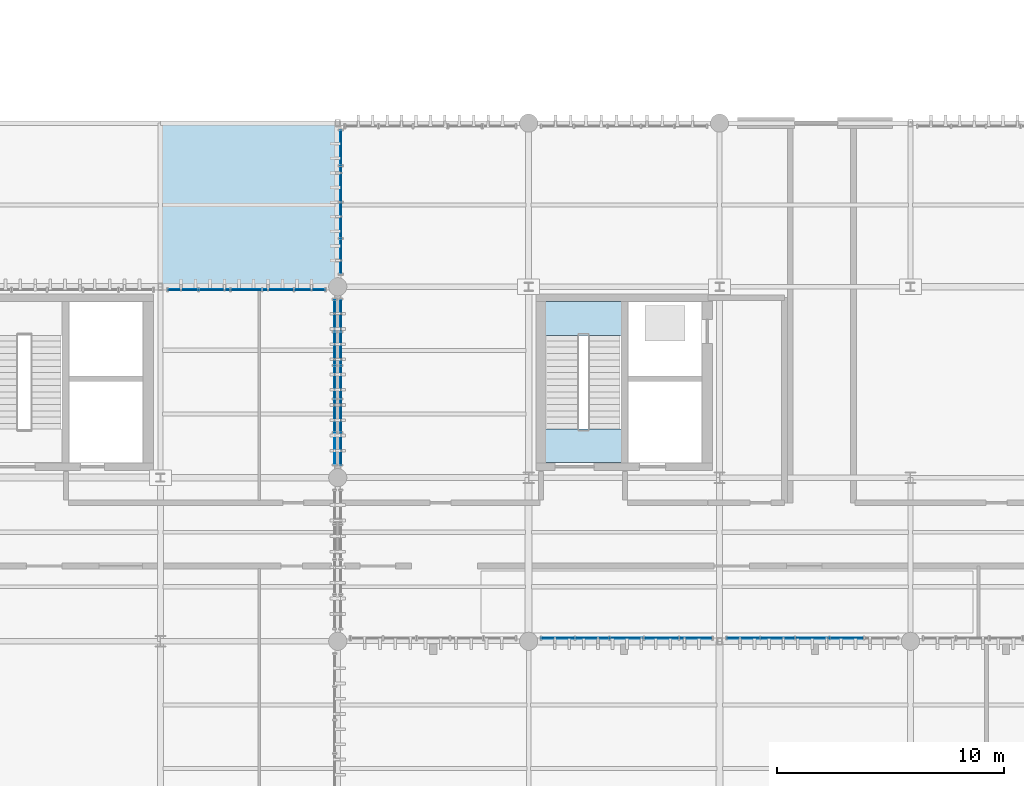
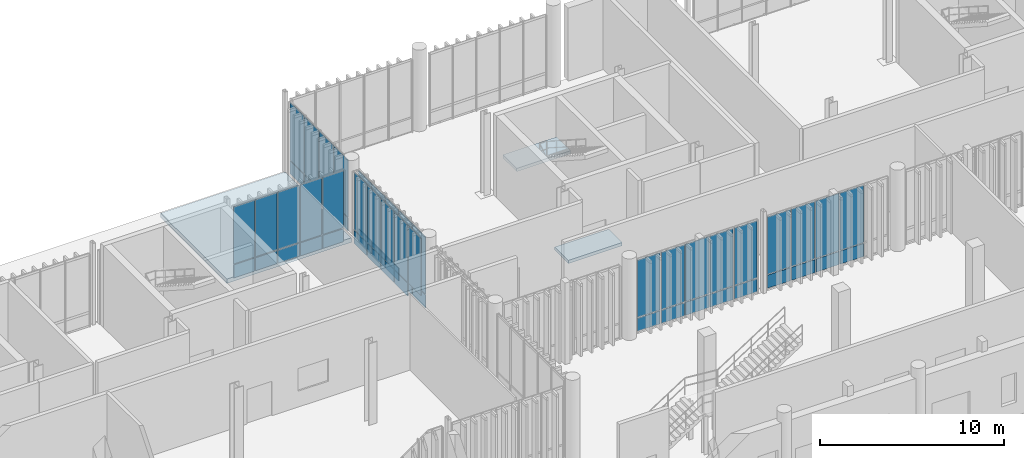
# One storey, part 78 of 112: 55 plates, 3 slabs, 7 elements without a shape of their own.
"""IFC4 building model written with IfcOpenShell, lengths in metres."""

from ifc_helpers import new_model, si_unit, direction, frame, frame_2d, origin_with_axes, place, context, subcontext, project, spatial, polyline, rectangle, outline, extrude, material, layer, layer_set, type_object, element, aggregate, save


model = new_model("IFC4")

# Units and contexts
model_context = context("Model", 3, precision=1e-05, world=origin_with_axes(), true_north=direction((0.0, 1.0)))
body_context = subcontext(model_context, "Body", "Model", "MODEL_VIEW")
ifc_project = project(units=[si_unit("LENGTHUNIT", "METRE"), si_unit("AREAUNIT", "SQUARE_METRE"), si_unit("VOLUMEUNIT", "CUBIC_METRE"), si_unit("PLANEANGLEUNIT", "RADIAN"), si_unit("MASSUNIT", "GRAM", prefix="KILO"), si_unit("THERMODYNAMICTEMPERATUREUNIT", "KELVIN")], contexts=[model_context])

# Site, building, storey
site_placement = place(None, origin_with_axes())
site = spatial("IfcSite", under=ifc_project, at=site_placement, CompositionType="ELEMENT")
building_placement = place(site_placement, origin_with_axes())
building = spatial("IfcBuilding", under=site, at=building_placement, Name="Montbau Bow Law Courts", CompositionType="ELEMENT")
storey_placement = place(building_placement, origin_with_axes())
storey = spatial("IfcBuildingStorey", under=building, at=storey_placement, Name="L00", CompositionType="ELEMENT", Elevation=0.0)

# Curtain wall, plates
ifc_material_1 = material(Name="Thermally Broken Extruded Aluminium AA 6063-T6", Category="aluminium")
curtain_wall_type_1 = type_object("IfcCurtainWallType", Name="CW-TRC-01", PredefinedType="NOTDEFINED", material=ifc_material_1)
curtain_wall_1_placement = place(None, frame((39.268, 54.46, 0.0), z_axis=(0.0, 0.0, 1.0), x_axis=(1.0, 0.0, 0.0)))
curtain_wall_1 = element("IfcCurtainWall", 1, at=curtain_wall_1_placement, inside=storey, type_object=curtain_wall_type_1, Name="CW-L00-010:cw_0010", PredefinedType="NOTDEFINED")
ifc_material_2 = material(Name="Triple-Glazed Low-E Argon Insulating Glass Unit", Category="glass")
ifc_layer_1 = layer(ifc_material_2, 0.044, Name="Curtain Panel", Category="glass")
ifc_layer_set_1 = layer_set([ifc_layer_1], Name="Triple-Glazed Low-E Argon Insulating Glass Unit")
plate_type_1 = type_object("IfcPlateType", Name="PL-CWP-01", PredefinedType="CURTAIN_PANEL", material=ifc_layer_set_1)
plate_1_placement = place(None, frame((39.336, 54.46, 0.982), z_axis=(0.0, -1.0, 0.0), x_axis=(1.0, 0.0, 0.0)))
plate_1 = element("IfcPlate", 2, at=plate_1_placement, type_object=plate_type_1, Name="CW-L00-010-P01-2:cw_0010_P01_2", PredefinedType="CURTAIN_PANEL", context=body_context, shape_type="SweptSolid", body=[
    extrude(rectangle(XDim=1.301, YDim=3.776, at=frame_2d((0.6505, 1.888), x_axis=(1.0, 0.0))), frame((0.0, 0.0, -0.022), z_axis=(0.0, 0.0, 1.0), x_axis=(1.0, 0.0, 0.0)), (0.0, 0.0, 1.0), 0.044),
])
plate_2_placement = place(None, frame((40.706, 54.46, 0.982), z_axis=(0.0, -1.0, 0.0), x_axis=(1.0, 0.0, 0.0)))
plate_2 = element("IfcPlate", 3, at=plate_2_placement, type_object=plate_type_1, Name="CW-L00-010-P02-2:cw_0010_P02_2", PredefinedType="CURTAIN_PANEL", context=body_context, shape_type="SweptSolid", body=[
    extrude(rectangle(XDim=1.334, YDim=3.776, at=frame_2d((0.667, 1.888), x_axis=(1.0, 0.0))), frame((0.0, 0.0, -0.022), z_axis=(0.0, 0.0, 1.0), x_axis=(1.0, 0.0, 0.0)), (0.0, 0.0, 1.0), 0.044),
])
plate_3_placement = place(None, frame((42.109, 54.46, 0.982), z_axis=(0.0, -1.0, 0.0), x_axis=(1.0, 0.0, 0.0)))
plate_3 = element("IfcPlate", 4, at=plate_3_placement, type_object=plate_type_1, Name="CW-L00-010-P03-2:cw_0010_P03_2", PredefinedType="CURTAIN_PANEL", context=body_context, shape_type="SweptSolid", body=[
    extrude(rectangle(XDim=1.335, YDim=3.776, at=frame_2d((0.6675, 1.888), x_axis=(1.0, 0.0))), frame((0.0, 0.0, -0.022), z_axis=(0.0, 0.0, 1.0), x_axis=(1.0, 0.0, 0.0)), (0.0, 0.0, 1.0), 0.044),
])
plate_4_placement = place(None, frame((43.512, 54.46, 0.982), z_axis=(0.0, -1.0, 0.0), x_axis=(1.0, 0.0, 0.0)))
plate_4 = element("IfcPlate", 5, at=plate_4_placement, type_object=plate_type_1, Name="CW-L00-010-P04-2:cw_0010_P04_2", PredefinedType="CURTAIN_PANEL", context=body_context, shape_type="SweptSolid", body=[
    extrude(rectangle(XDim=1.336, YDim=3.776, at=frame_2d((0.668, 1.888), x_axis=(1.0, 0.0))), frame((0.0, 0.0, -0.022), z_axis=(0.0, 0.0, 1.0), x_axis=(1.0, 0.0, 0.0)), (0.0, 0.0, 1.0), 0.044),
])
plate_5_placement = place(None, frame((44.916, 54.46, 0.982), z_axis=(0.0, -1.0, 0.0), x_axis=(1.0, 0.0, 0.0)))
plate_5 = element("IfcPlate", 6, at=plate_5_placement, type_object=plate_type_1, Name="CW-L00-010-P05-2:cw_0010_P05_2", PredefinedType="CURTAIN_PANEL", context=body_context, shape_type="SweptSolid", body=[
    extrude(rectangle(XDim=1.302, YDim=3.776, at=frame_2d((0.651, 1.888), x_axis=(1.0, 0.0))), frame((0.0, 0.0, -0.022), z_axis=(0.0, 0.0, 1.0), x_axis=(1.0, 0.0, 0.0)), (0.0, 0.0, 1.0), 0.044),
])

curtain_wall_2_placement = place(None, frame((46.66, 46.715, 0.0), z_axis=(0.0, 0.0, 1.0), x_axis=(1.0, 0.0, 0.0)))
curtain_wall_2 = element("IfcCurtainWall", 7, at=curtain_wall_2_placement, inside=storey, type_object=curtain_wall_type_1, Name="CW-L00-015:cw_0015", PredefinedType="NOTDEFINED")
plate_6_placement = place(None, frame((46.66, 46.791, 0.979), z_axis=(1.0, 0.0, 0.0), x_axis=(0.0, 1.0, 0.0)))
plate_6 = element("IfcPlate", 8, at=plate_6_placement, type_object=plate_type_1, Name="CW-L00-015-P01-2:cw_0015_P01_2", PredefinedType="CURTAIN_PANEL", context=body_context, shape_type="SweptSolid", body=[
    extrude(rectangle(XDim=1.358, YDim=3.785, at=frame_2d((0.679, 1.8925), x_axis=(1.0, 0.0))), frame((0.0, 0.0, -0.022), z_axis=(0.0, 0.0, 1.0), x_axis=(1.0, 0.0, 0.0)), (0.0, 0.0, 1.0), 0.044),
])
plate_7_placement = place(None, frame((46.66, 48.229, 0.979), z_axis=(1.0, 0.0, 0.0), x_axis=(0.0, 1.0, 0.0)))
plate_7 = element("IfcPlate", 9, at=plate_7_placement, type_object=plate_type_1, Name="CW-L00-015-P02-2:cw_0015_P02_2", PredefinedType="CURTAIN_PANEL", context=body_context, shape_type="SweptSolid", body=[
    extrude(rectangle(XDim=1.395, YDim=3.785, at=frame_2d((0.6975, 1.8925), x_axis=(1.0, 0.0))), frame((0.0, 0.0, -0.022), z_axis=(0.0, 0.0, 1.0), x_axis=(1.0, 0.0, 0.0)), (0.0, 0.0, 1.0), 0.044),
])
plate_8_placement = place(None, frame((46.66, 49.702, 0.979), z_axis=(1.0, 0.0, 0.0), x_axis=(0.0, 1.0, 0.0)))
plate_8 = element("IfcPlate", 10, at=plate_8_placement, type_object=plate_type_1, Name="CW-L00-015-P03-2:cw_0015_P03_2", PredefinedType="CURTAIN_PANEL", context=body_context, shape_type="SweptSolid", body=[
    extrude(rectangle(XDim=1.396, YDim=3.785, at=frame_2d((0.698, 1.8925), x_axis=(1.0, 0.0))), frame((0.0, 0.0, -0.022), z_axis=(0.0, 0.0, 1.0), x_axis=(1.0, 0.0, 0.0)), (0.0, 0.0, 1.0), 0.044),
])
plate_9_placement = place(None, frame((46.66, 51.176, 0.979), z_axis=(1.0, 0.0, 0.0), x_axis=(0.0, 1.0, 0.0)))
plate_9 = element("IfcPlate", 11, at=plate_9_placement, type_object=plate_type_1, Name="CW-L00-015-P04-2:cw_0015_P04_2", PredefinedType="CURTAIN_PANEL", context=body_context, shape_type="SweptSolid", body=[
    extrude(rectangle(XDim=1.396, YDim=3.785, at=frame_2d((0.698, 1.8925), x_axis=(1.0, 0.0))), frame((0.0, 0.0, -0.022), z_axis=(0.0, 0.0, 1.0), x_axis=(1.0, 0.0, 0.0)), (0.0, 0.0, 1.0), 0.044),
])
plate_10_placement = place(None, frame((46.66, 52.65, 0.979), z_axis=(1.0, 0.0, 0.0), x_axis=(0.0, 1.0, 0.0)))
plate_10 = element("IfcPlate", 12, at=plate_10_placement, type_object=plate_type_1, Name="CW-L00-015-P05-2:cw_0015_P05_2", PredefinedType="CURTAIN_PANEL", context=body_context, shape_type="SweptSolid", body=[
    extrude(rectangle(XDim=1.358, YDim=3.785, at=frame_2d((0.679, 1.8925), x_axis=(1.0, 0.0))), frame((0.0, 0.0, -0.022), z_axis=(0.0, 0.0, 1.0), x_axis=(1.0, 0.0, 0.0)), (0.0, 0.0, 1.0), 0.044),
])

curtain_wall_type_2 = type_object("IfcCurtainWallType", Name="CW-CRM-01", PredefinedType="NOTDEFINED", material=ifc_material_1)
curtain_wall_3_placement = place(None, frame((55.715, 39.14, 0.0), z_axis=(0.0, 0.0, 1.0), x_axis=(1.0, 0.0, 0.0)))
curtain_wall_3 = element("IfcCurtainWall", 13, at=curtain_wall_3_placement, inside=storey, type_object=curtain_wall_type_2, Name="CW-L00-124:cw_0124", PredefinedType="NOTDEFINED")
plate_11_placement = place(None, frame((55.783, 39.14, 0.982), z_axis=(0.0, -1.0, 0.0), x_axis=(1.0, 0.0, 0.0)))
plate_11 = element("IfcPlate", 14, at=plate_11_placement, type_object=plate_type_1, Name="CW-L00-124-P01-2:cw_0124_P01_2", PredefinedType="CURTAIN_PANEL", context=body_context, shape_type="SweptSolid", body=[
    extrude(rectangle(XDim=1.42, YDim=3.776, at=frame_2d((0.71, 1.888), x_axis=(1.0, 0.0))), frame((0.0, 0.0, -0.022), z_axis=(0.0, 0.0, 1.0), x_axis=(1.0, 0.0, 0.0)), (0.0, 0.0, 1.0), 0.044),
])
plate_12_placement = place(None, frame((57.272, 39.14, 0.982), z_axis=(0.0, -1.0, 0.0), x_axis=(1.0, 0.0, 0.0)))
plate_12 = element("IfcPlate", 15, at=plate_12_placement, type_object=plate_type_1, Name="CW-L00-124-P02-2:cw_0124_P02_2", PredefinedType="CURTAIN_PANEL", context=body_context, shape_type="SweptSolid", body=[
    extrude(rectangle(XDim=1.456, YDim=3.776, at=frame_2d((0.728, 1.888), x_axis=(1.0, 0.0))), frame((0.0, 0.0, -0.022), z_axis=(0.0, 0.0, 1.0), x_axis=(1.0, 0.0, 0.0)), (0.0, 0.0, 1.0), 0.044),
])
plate_13_placement = place(None, frame((58.797, 39.14, 0.982), z_axis=(0.0, -1.0, 0.0), x_axis=(1.0, 0.0, 0.0)))
plate_13 = element("IfcPlate", 16, at=plate_13_placement, type_object=plate_type_1, Name="CW-L00-124-P03-2:cw_0124_P03_2", PredefinedType="CURTAIN_PANEL", context=body_context, shape_type="SweptSolid", body=[
    extrude(rectangle(XDim=1.454, YDim=3.776, at=frame_2d((0.727, 1.888), x_axis=(1.0, 0.0))), frame((0.0, 0.0, -0.022), z_axis=(0.0, 0.0, 1.0), x_axis=(1.0, 0.0, 0.0)), (0.0, 0.0, 1.0), 0.044),
])
plate_14_placement = place(None, frame((60.319, 39.14, 0.982), z_axis=(0.0, -1.0, 0.0), x_axis=(1.0, 0.0, 0.0)))
plate_14 = element("IfcPlate", 17, at=plate_14_placement, type_object=plate_type_1, Name="CW-L00-124-P04-2:cw_0124_P04_2", PredefinedType="CURTAIN_PANEL", context=body_context, shape_type="SweptSolid", body=[
    extrude(rectangle(XDim=1.456, YDim=3.776, at=frame_2d((0.728, 1.888), x_axis=(1.0, 0.0))), frame((0.0, 0.0, -0.022), z_axis=(0.0, 0.0, 1.0), x_axis=(1.0, 0.0, 0.0)), (0.0, 0.0, 1.0), 0.044),
])
plate_15_placement = place(None, frame((61.843, 39.14, 0.982), z_axis=(0.0, -1.0, 0.0), x_axis=(1.0, 0.0, 0.0)))
plate_15 = element("IfcPlate", 18, at=plate_15_placement, type_object=plate_type_1, Name="CW-L00-124-P05-2:cw_0124_P05_2", PredefinedType="CURTAIN_PANEL", context=body_context, shape_type="SweptSolid", body=[
    extrude(rectangle(XDim=1.422, YDim=3.776, at=frame_2d((0.711, 1.888), x_axis=(1.0, 0.0))), frame((0.0, 0.0, -0.022), z_axis=(0.0, 0.0, 1.0), x_axis=(1.0, 0.0, 0.0)), (0.0, 0.0, 1.0), 0.044),
])

curtain_wall_4_placement = place(None, frame((63.868, 39.14, 0.0), z_axis=(0.0, 0.0, 1.0), x_axis=(1.0, 0.0, 0.0)))
curtain_wall_4 = element("IfcCurtainWall", 19, at=curtain_wall_4_placement, inside=storey, type_object=curtain_wall_type_2, Name="CW-L00-125:cw_0125", PredefinedType="NOTDEFINED")
plate_16_placement = place(None, frame((63.93, 39.14, 0.979), z_axis=(0.0, -1.0, 0.0), x_axis=(1.0, 0.0, 0.0)))
plate_16 = element("IfcPlate", 20, at=plate_16_placement, type_object=plate_type_1, Name="CW-L00-125-P01-2:cw_0125_P01_2", PredefinedType="CURTAIN_PANEL", context=body_context, shape_type="SweptSolid", body=[
    extrude(rectangle(XDim=1.429, YDim=3.785, at=frame_2d((0.7145, 1.8925), x_axis=(1.0, 0.0))), frame((0.0, 0.0, -0.022), z_axis=(0.0, 0.0, 1.0), x_axis=(1.0, 0.0, 0.0)), (0.0, 0.0, 1.0), 0.044),
])
plate_17_placement = place(None, frame((65.423, 39.14, 0.979), z_axis=(0.0, -1.0, 0.0), x_axis=(1.0, 0.0, 0.0)))
plate_17 = element("IfcPlate", 21, at=plate_17_placement, type_object=plate_type_1, Name="CW-L00-125-P02-2:cw_0125_P02_2", PredefinedType="CURTAIN_PANEL", context=body_context, shape_type="SweptSolid", body=[
    extrude(rectangle(XDim=1.46, YDim=3.785, at=frame_2d((0.73, 1.8925), x_axis=(1.0, 0.0))), frame((0.0, 0.0, -0.022), z_axis=(0.0, 0.0, 1.0), x_axis=(1.0, 0.0, 0.0)), (0.0, 0.0, 1.0), 0.044),
])
plate_18_placement = place(None, frame((66.947, 39.14, 0.979), z_axis=(0.0, -1.0, 0.0), x_axis=(1.0, 0.0, 0.0)))
plate_18 = element("IfcPlate", 22, at=plate_18_placement, type_object=plate_type_1, Name="CW-L00-125-P03-2:cw_0125_P03_2", PredefinedType="CURTAIN_PANEL", context=body_context, shape_type="SweptSolid", body=[
    extrude(rectangle(XDim=1.459, YDim=3.785, at=frame_2d((0.7295, 1.8925), x_axis=(1.0, 0.0))), frame((0.0, 0.0, -0.022), z_axis=(0.0, 0.0, 1.0), x_axis=(1.0, 0.0, 0.0)), (0.0, 0.0, 1.0), 0.044),
])
plate_19_placement = place(None, frame((68.47, 39.14, 0.979), z_axis=(0.0, -1.0, 0.0), x_axis=(1.0, 0.0, 0.0)))
plate_19 = element("IfcPlate", 23, at=plate_19_placement, type_object=plate_type_1, Name="CW-L00-125-P04-2:cw_0125_P04_2", PredefinedType="CURTAIN_PANEL", context=body_context, shape_type="SweptSolid", body=[
    extrude(rectangle(XDim=1.46, YDim=3.785, at=frame_2d((0.73, 1.8925), x_axis=(1.0, 0.0))), frame((0.0, 0.0, -0.022), z_axis=(0.0, 0.0, 1.0), x_axis=(1.0, 0.0, 0.0)), (0.0, 0.0, 1.0), 0.044),
])

curtain_wall_5_placement = place(None, frame((46.94, 46.715, 0.0), z_axis=(0.0, 0.0, 1.0), x_axis=(1.0, 0.0, 0.0)))
curtain_wall_5 = element("IfcCurtainWall", 24, at=curtain_wall_5_placement, inside=storey, type_object=curtain_wall_type_2, Name="CW-L00-134:cw_0134", PredefinedType="NOTDEFINED")
plate_20_placement = place(None, frame((46.94, 46.777, 0.982), z_axis=(1.0, 0.0, 0.0), x_axis=(0.0, 1.0, 0.0)))
plate_20 = element("IfcPlate", 25, at=plate_20_placement, type_object=plate_type_1, Name="CW-L00-134-P01-2:cw_0134_P01_2", PredefinedType="CURTAIN_PANEL", context=body_context, shape_type="SweptSolid", body=[
    extrude(rectangle(XDim=1.38, YDim=3.776, at=frame_2d((0.69, 1.888), x_axis=(1.0, 0.0))), frame((0.0, 0.0, -0.022), z_axis=(0.0, 0.0, 1.0), x_axis=(1.0, 0.0, 0.0)), (0.0, 0.0, 1.0), 0.044),
])
plate_21_placement = place(None, frame((46.94, 48.221, 0.982), z_axis=(1.0, 0.0, 0.0), x_axis=(0.0, 1.0, 0.0)))
plate_21 = element("IfcPlate", 26, at=plate_21_placement, type_object=plate_type_1, Name="CW-L00-134-P02-2:cw_0134_P02_2", PredefinedType="CURTAIN_PANEL", context=body_context, shape_type="SweptSolid", body=[
    extrude(rectangle(XDim=1.41, YDim=3.776, at=frame_2d((0.705, 1.888), x_axis=(1.0, 0.0))), frame((0.0, 0.0, -0.022), z_axis=(0.0, 0.0, 1.0), x_axis=(1.0, 0.0, 0.0)), (0.0, 0.0, 1.0), 0.044),
])
plate_22_placement = place(None, frame((46.94, 49.695, 0.982), z_axis=(1.0, 0.0, 0.0), x_axis=(0.0, 1.0, 0.0)))
plate_22 = element("IfcPlate", 27, at=plate_22_placement, type_object=plate_type_1, Name="CW-L00-134-P03-2:cw_0134_P03_2", PredefinedType="CURTAIN_PANEL", context=body_context, shape_type="SweptSolid", body=[
    extrude(rectangle(XDim=1.41, YDim=3.776, at=frame_2d((0.705, 1.888), x_axis=(1.0, 0.0))), frame((0.0, 0.0, -0.022), z_axis=(0.0, 0.0, 1.0), x_axis=(1.0, 0.0, 0.0)), (0.0, 0.0, 1.0), 0.044),
])
plate_23_placement = place(None, frame((46.94, 51.169, 0.982), z_axis=(1.0, 0.0, 0.0), x_axis=(0.0, 1.0, 0.0)))
plate_23 = element("IfcPlate", 28, at=plate_23_placement, type_object=plate_type_1, Name="CW-L00-134-P04-2:cw_0134_P04_2", PredefinedType="CURTAIN_PANEL", context=body_context, shape_type="SweptSolid", body=[
    extrude(rectangle(XDim=1.41, YDim=3.776, at=frame_2d((0.705, 1.888), x_axis=(1.0, 0.0))), frame((0.0, 0.0, -0.022), z_axis=(0.0, 0.0, 1.0), x_axis=(1.0, 0.0, 0.0)), (0.0, 0.0, 1.0), 0.044),
])
plate_24_placement = place(None, frame((46.94, 52.643, 0.982), z_axis=(1.0, 0.0, 0.0), x_axis=(0.0, 1.0, 0.0)))
plate_24 = element("IfcPlate", 29, at=plate_24_placement, type_object=plate_type_1, Name="CW-L00-134-P05-2:cw_0134_P05_2", PredefinedType="CURTAIN_PANEL", context=body_context, shape_type="SweptSolid", body=[
    extrude(rectangle(XDim=1.38, YDim=3.776, at=frame_2d((0.69, 1.888), x_axis=(1.0, 0.0))), frame((0.0, 0.0, -0.022), z_axis=(0.0, 0.0, 1.0), x_axis=(1.0, 0.0, 0.0)), (0.0, 0.0, 1.0), 0.044),
])

curtain_wall_6_placement = place(None, frame((46.94, 55.115, 0.0), z_axis=(0.0, 0.0, 1.0), x_axis=(1.0, 0.0, 0.0)))
curtain_wall_6 = element("IfcCurtainWall", 30, at=curtain_wall_6_placement, inside=storey, type_object=curtain_wall_type_2, Name="CW-L00-135:cw_0135", PredefinedType="NOTDEFINED")
plate_25_placement = place(None, frame((46.94, 55.191, 0.979), z_axis=(1.0, 0.0, 0.0), x_axis=(0.0, 1.0, 0.0)))
plate_25 = element("IfcPlate", 31, at=plate_25_placement, type_object=plate_type_1, Name="CW-L00-135-P01-2:cw_0135_P01_2", PredefinedType="CURTAIN_PANEL", context=body_context, shape_type="SweptSolid", body=[
    extrude(rectangle(XDim=1.489, YDim=3.785, at=frame_2d((0.7445, 1.8925), x_axis=(1.0, 0.0))), frame((0.0, 0.0, -0.022), z_axis=(0.0, 0.0, 1.0), x_axis=(1.0, 0.0, 0.0)), (0.0, 0.0, 1.0), 0.044),
])
plate_26_placement = place(None, frame((46.94, 56.759, 0.979), z_axis=(1.0, 0.0, 0.0), x_axis=(0.0, 1.0, 0.0)))
plate_26 = element("IfcPlate", 32, at=plate_26_placement, type_object=plate_type_1, Name="CW-L00-135-P02-2:cw_0135_P02_2", PredefinedType="CURTAIN_PANEL", context=body_context, shape_type="SweptSolid", body=[
    extrude(rectangle(XDim=1.525, YDim=3.785, at=frame_2d((0.7625, 1.8925), x_axis=(1.0, 0.0))), frame((0.0, 0.0, -0.022), z_axis=(0.0, 0.0, 1.0), x_axis=(1.0, 0.0, 0.0)), (0.0, 0.0, 1.0), 0.044),
])
plate_27_placement = place(None, frame((46.94, 58.363, 0.979), z_axis=(1.0, 0.0, 0.0), x_axis=(0.0, 1.0, 0.0)))
plate_27 = element("IfcPlate", 33, at=plate_27_placement, type_object=plate_type_1, Name="CW-L00-135-P03-2:cw_0135_P03_2", PredefinedType="CURTAIN_PANEL", context=body_context, shape_type="SweptSolid", body=[
    extrude(rectangle(XDim=1.526, YDim=3.785, at=frame_2d((0.763, 1.8925), x_axis=(1.0, 0.0))), frame((0.0, 0.0, -0.022), z_axis=(0.0, 0.0, 1.0), x_axis=(1.0, 0.0, 0.0)), (0.0, 0.0, 1.0), 0.044),
])
plate_28_placement = place(None, frame((46.94, 59.967, 0.979), z_axis=(1.0, 0.0, 0.0), x_axis=(0.0, 1.0, 0.0)))
plate_28 = element("IfcPlate", 34, at=plate_28_placement, type_object=plate_type_1, Name="CW-L00-135-P04-2:cw_0135_P04_2", PredefinedType="CURTAIN_PANEL", context=body_context, shape_type="SweptSolid", body=[
    extrude(rectangle(XDim=1.488, YDim=3.785, at=frame_2d((0.744, 1.8925), x_axis=(1.0, 0.0))), frame((0.0, 0.0, -0.022), z_axis=(0.0, 0.0, 1.0), x_axis=(1.0, 0.0, 0.0)), (0.0, 0.0, 1.0), 0.044),
])

# Plate
ifc_material_3 = material(Name="Insulated Ceramic-Frit Spandrel Glazing Unit", Category="glass")
ifc_layer_2 = layer(ifc_material_3, 0.056, Name="Curtain Panel", Category="glass")
ifc_layer_set_2 = layer_set([ifc_layer_2], Name="Insulated Ceramic-Frit Spandrel Glazing Unit")
plate_type_2 = type_object("IfcPlateType", Name="PL-CWP-02", PredefinedType="CURTAIN_PANEL", material=ifc_layer_set_2)
plate_29_placement = place(None, frame((39.336, 54.46, 0.062), z_axis=(0.0, -1.0, 0.0), x_axis=(1.0, 0.0, 0.0)))
plate_29 = element("IfcPlate", 35, at=plate_29_placement, type_object=plate_type_2, Name="CW-L00-010-P01-1:cw_0010_P01_1", PredefinedType="CURTAIN_PANEL", context=body_context, shape_type="SweptSolid", body=[
    extrude(rectangle(XDim=1.301, YDim=0.856, at=frame_2d((0.6505, 0.428), x_axis=(1.0, 0.0))), frame((0.0, 0.0, -0.028), z_axis=(0.0, 0.0, 1.0), x_axis=(1.0, 0.0, 0.0)), (0.0, 0.0, 1.0), 0.056),
])

plate_30_placement = place(None, frame((40.706, 54.46, 0.062), z_axis=(0.0, -1.0, 0.0), x_axis=(1.0, 0.0, 0.0)))
plate_30 = element("IfcPlate", 36, at=plate_30_placement, type_object=plate_type_2, Name="CW-L00-010-P02-1:cw_0010_P02_1", PredefinedType="CURTAIN_PANEL", context=body_context, shape_type="SweptSolid", body=[
    extrude(rectangle(XDim=1.334, YDim=0.856, at=frame_2d((0.667, 0.428), x_axis=(1.0, 0.0))), frame((0.0, 0.0, -0.028), z_axis=(0.0, 0.0, 1.0), x_axis=(1.0, 0.0, 0.0)), (0.0, 0.0, 1.0), 0.056),
])

plate_31_placement = place(None, frame((42.109, 54.46, 0.062), z_axis=(0.0, -1.0, 0.0), x_axis=(1.0, 0.0, 0.0)))
plate_31 = element("IfcPlate", 37, at=plate_31_placement, type_object=plate_type_2, Name="CW-L00-010-P03-1:cw_0010_P03_1", PredefinedType="CURTAIN_PANEL", context=body_context, shape_type="SweptSolid", body=[
    extrude(rectangle(XDim=1.335, YDim=0.856, at=frame_2d((0.6675, 0.428), x_axis=(1.0, 0.0))), frame((0.0, 0.0, -0.028), z_axis=(0.0, 0.0, 1.0), x_axis=(1.0, 0.0, 0.0)), (0.0, 0.0, 1.0), 0.056),
])

plate_32_placement = place(None, frame((43.512, 54.46, 0.062), z_axis=(0.0, -1.0, 0.0), x_axis=(1.0, 0.0, 0.0)))
plate_32 = element("IfcPlate", 38, at=plate_32_placement, type_object=plate_type_2, Name="CW-L00-010-P04-1:cw_0010_P04_1", PredefinedType="CURTAIN_PANEL", context=body_context, shape_type="SweptSolid", body=[
    extrude(rectangle(XDim=1.336, YDim=0.856, at=frame_2d((0.668, 0.428), x_axis=(1.0, 0.0))), frame((0.0, 0.0, -0.028), z_axis=(0.0, 0.0, 1.0), x_axis=(1.0, 0.0, 0.0)), (0.0, 0.0, 1.0), 0.056),
])

plate_33_placement = place(None, frame((44.916, 54.46, 0.062), z_axis=(0.0, -1.0, 0.0), x_axis=(1.0, 0.0, 0.0)))
plate_33 = element("IfcPlate", 39, at=plate_33_placement, type_object=plate_type_2, Name="CW-L00-010-P05-1:cw_0010_P05_1", PredefinedType="CURTAIN_PANEL", context=body_context, shape_type="SweptSolid", body=[
    extrude(rectangle(XDim=1.302, YDim=0.856, at=frame_2d((0.651, 0.428), x_axis=(1.0, 0.0))), frame((0.0, 0.0, -0.028), z_axis=(0.0, 0.0, 1.0), x_axis=(1.0, 0.0, 0.0)), (0.0, 0.0, 1.0), 0.056),
])

aggregate(curtain_wall_1, [plate_29, plate_1, plate_30, plate_2, plate_31, plate_3, plate_32, plate_4, plate_33, plate_5])

plate_34_placement = place(None, frame((46.66, 48.229, 0.058), z_axis=(1.0, 0.0, 0.0), x_axis=(0.0, 1.0, 0.0)))
plate_34 = element("IfcPlate", 40, at=plate_34_placement, type_object=plate_type_2, Name="CW-L00-015-P02-1:cw_0015_P02_1", PredefinedType="CURTAIN_PANEL", context=body_context, shape_type="SweptSolid", body=[
    extrude(rectangle(XDim=1.395, YDim=0.862, at=frame_2d((0.6975, 0.431), x_axis=(1.0, 0.0))), frame((0.0, 0.0, -0.028), z_axis=(0.0, 0.0, 1.0), x_axis=(1.0, 0.0, 0.0)), (0.0, 0.0, 1.0), 0.056),
])

plate_35_placement = place(None, frame((46.66, 49.702, 0.058), z_axis=(1.0, 0.0, 0.0), x_axis=(0.0, 1.0, 0.0)))
plate_35 = element("IfcPlate", 41, at=plate_35_placement, type_object=plate_type_2, Name="CW-L00-015-P03-1:cw_0015_P03_1", PredefinedType="CURTAIN_PANEL", context=body_context, shape_type="SweptSolid", body=[
    extrude(rectangle(XDim=1.396, YDim=0.862, at=frame_2d((0.698, 0.431), x_axis=(1.0, 0.0))), frame((0.0, 0.0, -0.028), z_axis=(0.0, 0.0, 1.0), x_axis=(1.0, 0.0, 0.0)), (0.0, 0.0, 1.0), 0.056),
])

plate_36_placement = place(None, frame((46.66, 51.176, 0.058), z_axis=(1.0, 0.0, 0.0), x_axis=(0.0, 1.0, 0.0)))
plate_36 = element("IfcPlate", 42, at=plate_36_placement, type_object=plate_type_2, Name="CW-L00-015-P04-1:cw_0015_P04_1", PredefinedType="CURTAIN_PANEL", context=body_context, shape_type="SweptSolid", body=[
    extrude(rectangle(XDim=1.396, YDim=0.862, at=frame_2d((0.698, 0.431), x_axis=(1.0, 0.0))), frame((0.0, 0.0, -0.028), z_axis=(0.0, 0.0, 1.0), x_axis=(1.0, 0.0, 0.0)), (0.0, 0.0, 1.0), 0.056),
])

plate_37_placement = place(None, frame((46.66, 52.65, 0.058), z_axis=(1.0, 0.0, 0.0), x_axis=(0.0, 1.0, 0.0)))
plate_37 = element("IfcPlate", 43, at=plate_37_placement, type_object=plate_type_2, Name="CW-L00-015-P05-1:cw_0015_P05_1", PredefinedType="CURTAIN_PANEL", context=body_context, shape_type="SweptSolid", body=[
    extrude(rectangle(XDim=1.358, YDim=0.862, at=frame_2d((0.679, 0.431), x_axis=(1.0, 0.0))), frame((0.0, 0.0, -0.028), z_axis=(0.0, 0.0, 1.0), x_axis=(1.0, 0.0, 0.0)), (0.0, 0.0, 1.0), 0.056),
])

aggregate(curtain_wall_2, [plate_6, plate_34, plate_7, plate_35, plate_8, plate_36, plate_9, plate_37, plate_10])

plate_38_placement = place(None, frame((55.783, 39.14, 0.062), z_axis=(0.0, -1.0, 0.0), x_axis=(1.0, 0.0, 0.0)))
plate_38 = element("IfcPlate", 44, at=plate_38_placement, type_object=plate_type_2, Name="CW-L00-124-P01-1:cw_0124_P01_1", PredefinedType="CURTAIN_PANEL", context=body_context, shape_type="SweptSolid", body=[
    extrude(rectangle(XDim=1.42, YDim=0.856, at=frame_2d((0.71, 0.428), x_axis=(1.0, 0.0))), frame((0.0, 0.0, -0.028), z_axis=(0.0, 0.0, 1.0), x_axis=(1.0, 0.0, 0.0)), (0.0, 0.0, 1.0), 0.056),
])

plate_39_placement = place(None, frame((57.272, 39.14, 0.062), z_axis=(0.0, -1.0, 0.0), x_axis=(1.0, 0.0, 0.0)))
plate_39 = element("IfcPlate", 45, at=plate_39_placement, type_object=plate_type_2, Name="CW-L00-124-P02-1:cw_0124_P02_1", PredefinedType="CURTAIN_PANEL", context=body_context, shape_type="SweptSolid", body=[
    extrude(rectangle(XDim=1.456, YDim=0.856, at=frame_2d((0.728, 0.428), x_axis=(1.0, 0.0))), frame((0.0, 0.0, -0.028), z_axis=(0.0, 0.0, 1.0), x_axis=(1.0, 0.0, 0.0)), (0.0, 0.0, 1.0), 0.056),
])

plate_40_placement = place(None, frame((58.797, 39.14, 0.062), z_axis=(0.0, -1.0, 0.0), x_axis=(1.0, 0.0, 0.0)))
plate_40 = element("IfcPlate", 46, at=plate_40_placement, type_object=plate_type_2, Name="CW-L00-124-P03-1:cw_0124_P03_1", PredefinedType="CURTAIN_PANEL", context=body_context, shape_type="SweptSolid", body=[
    extrude(rectangle(XDim=1.454, YDim=0.856, at=frame_2d((0.727, 0.428), x_axis=(1.0, 0.0))), frame((0.0, 0.0, -0.028), z_axis=(0.0, 0.0, 1.0), x_axis=(1.0, 0.0, 0.0)), (0.0, 0.0, 1.0), 0.056),
])

plate_41_placement = place(None, frame((60.319, 39.14, 0.062), z_axis=(0.0, -1.0, 0.0), x_axis=(1.0, 0.0, 0.0)))
plate_41 = element("IfcPlate", 47, at=plate_41_placement, type_object=plate_type_2, Name="CW-L00-124-P04-1:cw_0124_P04_1", PredefinedType="CURTAIN_PANEL", context=body_context, shape_type="SweptSolid", body=[
    extrude(rectangle(XDim=1.456, YDim=0.856, at=frame_2d((0.728, 0.428), x_axis=(1.0, 0.0))), frame((0.0, 0.0, -0.028), z_axis=(0.0, 0.0, 1.0), x_axis=(1.0, 0.0, 0.0)), (0.0, 0.0, 1.0), 0.056),
])

plate_42_placement = place(None, frame((61.843, 39.14, 0.062), z_axis=(0.0, -1.0, 0.0), x_axis=(1.0, 0.0, 0.0)))
plate_42 = element("IfcPlate", 48, at=plate_42_placement, type_object=plate_type_2, Name="CW-L00-124-P05-1:cw_0124_P05_1", PredefinedType="CURTAIN_PANEL", context=body_context, shape_type="SweptSolid", body=[
    extrude(rectangle(XDim=1.422, YDim=0.856, at=frame_2d((0.711, 0.428), x_axis=(1.0, 0.0))), frame((0.0, 0.0, -0.028), z_axis=(0.0, 0.0, 1.0), x_axis=(1.0, 0.0, 0.0)), (0.0, 0.0, 1.0), 0.056),
])

aggregate(curtain_wall_3, [plate_38, plate_11, plate_39, plate_12, plate_40, plate_13, plate_41, plate_14, plate_42, plate_15])

plate_43_placement = place(None, frame((63.93, 39.14, 0.058), z_axis=(0.0, -1.0, 0.0), x_axis=(1.0, 0.0, 0.0)))
plate_43 = element("IfcPlate", 49, at=plate_43_placement, type_object=plate_type_2, Name="CW-L00-125-P01-1:cw_0125_P01_1", PredefinedType="CURTAIN_PANEL", context=body_context, shape_type="SweptSolid", body=[
    extrude(rectangle(XDim=1.429, YDim=0.862, at=frame_2d((0.7145, 0.431), x_axis=(1.0, 0.0))), frame((0.0, 0.0, -0.028), z_axis=(0.0, 0.0, 1.0), x_axis=(1.0, 0.0, 0.0)), (0.0, 0.0, 1.0), 0.056),
])

plate_44_placement = place(None, frame((65.423, 39.14, 0.058), z_axis=(0.0, -1.0, 0.0), x_axis=(1.0, 0.0, 0.0)))
plate_44 = element("IfcPlate", 50, at=plate_44_placement, type_object=plate_type_2, Name="CW-L00-125-P02-1:cw_0125_P02_1", PredefinedType="CURTAIN_PANEL", context=body_context, shape_type="SweptSolid", body=[
    extrude(rectangle(XDim=1.46, YDim=0.862, at=frame_2d((0.73, 0.431), x_axis=(1.0, 0.0))), frame((0.0, 0.0, -0.028), z_axis=(0.0, 0.0, 1.0), x_axis=(1.0, 0.0, 0.0)), (0.0, 0.0, 1.0), 0.056),
])

plate_45_placement = place(None, frame((66.947, 39.14, 0.058), z_axis=(0.0, -1.0, 0.0), x_axis=(1.0, 0.0, 0.0)))
plate_45 = element("IfcPlate", 51, at=plate_45_placement, type_object=plate_type_2, Name="CW-L00-125-P03-1:cw_0125_P03_1", PredefinedType="CURTAIN_PANEL", context=body_context, shape_type="SweptSolid", body=[
    extrude(rectangle(XDim=1.459, YDim=0.862, at=frame_2d((0.7295, 0.431), x_axis=(1.0, 0.0))), frame((0.0, 0.0, -0.028), z_axis=(0.0, 0.0, 1.0), x_axis=(1.0, 0.0, 0.0)), (0.0, 0.0, 1.0), 0.056),
])

plate_46_placement = place(None, frame((68.47, 39.14, 0.058), z_axis=(0.0, -1.0, 0.0), x_axis=(1.0, 0.0, 0.0)))
plate_46 = element("IfcPlate", 52, at=plate_46_placement, type_object=plate_type_2, Name="CW-L00-125-P04-1:cw_0125_P04_1", PredefinedType="CURTAIN_PANEL", context=body_context, shape_type="SweptSolid", body=[
    extrude(rectangle(XDim=1.46, YDim=0.862, at=frame_2d((0.73, 0.431), x_axis=(1.0, 0.0))), frame((0.0, 0.0, -0.028), z_axis=(0.0, 0.0, 1.0), x_axis=(1.0, 0.0, 0.0)), (0.0, 0.0, 1.0), 0.056),
])

aggregate(curtain_wall_4, [plate_43, plate_16, plate_44, plate_17, plate_45, plate_18, plate_46, plate_19])

plate_47_placement = place(None, frame((46.94, 46.777, 0.062), z_axis=(1.0, 0.0, 0.0), x_axis=(0.0, 1.0, 0.0)))
plate_47 = element("IfcPlate", 53, at=plate_47_placement, type_object=plate_type_2, Name="CW-L00-134-P01-1:cw_0134_P01_1", PredefinedType="CURTAIN_PANEL", context=body_context, shape_type="SweptSolid", body=[
    extrude(rectangle(XDim=1.38, YDim=0.856, at=frame_2d((0.69, 0.428), x_axis=(1.0, 0.0))), frame((0.0, 0.0, -0.028), z_axis=(0.0, 0.0, 1.0), x_axis=(1.0, 0.0, 0.0)), (0.0, 0.0, 1.0), 0.056),
])

plate_48_placement = place(None, frame((46.94, 48.221, 0.062), z_axis=(1.0, 0.0, 0.0), x_axis=(0.0, 1.0, 0.0)))
plate_48 = element("IfcPlate", 54, at=plate_48_placement, type_object=plate_type_2, Name="CW-L00-134-P02-1:cw_0134_P02_1", PredefinedType="CURTAIN_PANEL", context=body_context, shape_type="SweptSolid", body=[
    extrude(rectangle(XDim=1.41, YDim=0.856, at=frame_2d((0.705, 0.428), x_axis=(1.0, 0.0))), frame((0.0, 0.0, -0.028), z_axis=(0.0, 0.0, 1.0), x_axis=(1.0, 0.0, 0.0)), (0.0, 0.0, 1.0), 0.056),
])

plate_49_placement = place(None, frame((46.94, 49.695, 0.062), z_axis=(1.0, 0.0, 0.0), x_axis=(0.0, 1.0, 0.0)))
plate_49 = element("IfcPlate", 55, at=plate_49_placement, type_object=plate_type_2, Name="CW-L00-134-P03-1:cw_0134_P03_1", PredefinedType="CURTAIN_PANEL", context=body_context, shape_type="SweptSolid", body=[
    extrude(rectangle(XDim=1.41, YDim=0.856, at=frame_2d((0.705, 0.428), x_axis=(1.0, 0.0))), frame((0.0, 0.0, -0.028), z_axis=(0.0, 0.0, 1.0), x_axis=(1.0, 0.0, 0.0)), (0.0, 0.0, 1.0), 0.056),
])

plate_50_placement = place(None, frame((46.94, 51.169, 0.062), z_axis=(1.0, 0.0, 0.0), x_axis=(0.0, 1.0, 0.0)))
plate_50 = element("IfcPlate", 56, at=plate_50_placement, type_object=plate_type_2, Name="CW-L00-134-P04-1:cw_0134_P04_1", PredefinedType="CURTAIN_PANEL", context=body_context, shape_type="SweptSolid", body=[
    extrude(rectangle(XDim=1.41, YDim=0.856, at=frame_2d((0.705, 0.428), x_axis=(1.0, 0.0))), frame((0.0, 0.0, -0.028), z_axis=(0.0, 0.0, 1.0), x_axis=(1.0, 0.0, 0.0)), (0.0, 0.0, 1.0), 0.056),
])

plate_51_placement = place(None, frame((46.94, 52.643, 0.062), z_axis=(1.0, 0.0, 0.0), x_axis=(0.0, 1.0, 0.0)))
plate_51 = element("IfcPlate", 57, at=plate_51_placement, type_object=plate_type_2, Name="CW-L00-134-P05-1:cw_0134_P05_1", PredefinedType="CURTAIN_PANEL", context=body_context, shape_type="SweptSolid", body=[
    extrude(rectangle(XDim=1.38, YDim=0.856, at=frame_2d((0.69, 0.428), x_axis=(1.0, 0.0))), frame((0.0, 0.0, -0.028), z_axis=(0.0, 0.0, 1.0), x_axis=(1.0, 0.0, 0.0)), (0.0, 0.0, 1.0), 0.056),
])

aggregate(curtain_wall_5, [plate_47, plate_20, plate_48, plate_21, plate_49, plate_22, plate_50, plate_23, plate_51, plate_24])

plate_52_placement = place(None, frame((46.94, 55.191, 0.058), z_axis=(1.0, 0.0, 0.0), x_axis=(0.0, 1.0, 0.0)))
plate_52 = element("IfcPlate", 58, at=plate_52_placement, type_object=plate_type_2, Name="CW-L00-135-P01-1:cw_0135_P01_1", PredefinedType="CURTAIN_PANEL", context=body_context, shape_type="SweptSolid", body=[
    extrude(rectangle(XDim=1.489, YDim=0.862, at=frame_2d((0.7445, 0.431), x_axis=(1.0, 0.0))), frame((0.0, 0.0, -0.028), z_axis=(0.0, 0.0, 1.0), x_axis=(1.0, 0.0, 0.0)), (0.0, 0.0, 1.0), 0.056),
])

plate_53_placement = place(None, frame((46.94, 56.759, 0.058), z_axis=(1.0, 0.0, 0.0), x_axis=(0.0, 1.0, 0.0)))
plate_53 = element("IfcPlate", 59, at=plate_53_placement, type_object=plate_type_2, Name="CW-L00-135-P02-1:cw_0135_P02_1", PredefinedType="CURTAIN_PANEL", context=body_context, shape_type="SweptSolid", body=[
    extrude(rectangle(XDim=1.525, YDim=0.862, at=frame_2d((0.7625, 0.431), x_axis=(1.0, 0.0))), frame((0.0, 0.0, -0.028), z_axis=(0.0, 0.0, 1.0), x_axis=(1.0, 0.0, 0.0)), (0.0, 0.0, 1.0), 0.056),
])

plate_54_placement = place(None, frame((46.94, 58.363, 0.058), z_axis=(1.0, 0.0, 0.0), x_axis=(0.0, 1.0, 0.0)))
plate_54 = element("IfcPlate", 60, at=plate_54_placement, type_object=plate_type_2, Name="CW-L00-135-P03-1:cw_0135_P03_1", PredefinedType="CURTAIN_PANEL", context=body_context, shape_type="SweptSolid", body=[
    extrude(rectangle(XDim=1.526, YDim=0.862, at=frame_2d((0.763, 0.431), x_axis=(1.0, 0.0))), frame((0.0, 0.0, -0.028), z_axis=(0.0, 0.0, 1.0), x_axis=(1.0, 0.0, 0.0)), (0.0, 0.0, 1.0), 0.056),
])

plate_55_placement = place(None, frame((46.94, 59.967, 0.058), z_axis=(1.0, 0.0, 0.0), x_axis=(0.0, 1.0, 0.0)))
plate_55 = element("IfcPlate", 61, at=plate_55_placement, type_object=plate_type_2, Name="CW-L00-135-P04-1:cw_0135_P04_1", PredefinedType="CURTAIN_PANEL", context=body_context, shape_type="SweptSolid", body=[
    extrude(rectangle(XDim=1.488, YDim=0.862, at=frame_2d((0.744, 0.431), x_axis=(1.0, 0.0))), frame((0.0, 0.0, -0.028), z_axis=(0.0, 0.0, 1.0), x_axis=(1.0, 0.0, 0.0)), (0.0, 0.0, 1.0), 0.056),
])

aggregate(curtain_wall_6, [plate_52, plate_25, plate_53, plate_26, plate_54, plate_27, plate_55, plate_28])

# Stair, slabs
ifc_material_4 = material(Name="Concrete CSA A23.1 f'c 40 MPa", Category="concrete")
stair_type = type_object("IfcStairType", Name="ST-PUB-1800", PredefinedType="HALF_TURN_STAIR", material=ifc_material_4)
stair_placement = place(None, frame((56.705, 48.3, 0.0), z_axis=(0.0, 0.0, 1.0), x_axis=(1.0, 0.0, 0.0)))
stair = element("IfcStair", 62, at=stair_placement, inside=storey, type_object=stair_type, Name="ST-P4-L00:str_0018", PredefinedType="HALF_TURN_STAIR")
ifc_layer_3 = layer(ifc_material_4, 0.21, Name="Landing", Category="concrete")
ifc_layer_set_3 = layer_set([ifc_layer_3], Name="Concrete CSA A23.1 f'c 40 MPa")
slab_type_1 = type_object("IfcSlabType", Name="SL-LND-02", PredefinedType="LANDING", material=ifc_layer_set_3)
slab_1_placement = place(None, frame((0.0, 0.0, -0.21), z_axis=(0.0, 0.0, 1.0), x_axis=(1.0, 0.0, 0.0)))
slab_1 = element("IfcSlab", 63, at=slab_1_placement, type_object=slab_type_1, Name="ST-P4-L00-LB:str_0018_LB", PredefinedType="LANDING", context=body_context, shape_type="SweptSolid", body=[
    extrude(outline(polyline([(55.92, 46.87), (59.3, 46.87), (59.3, 48.34), (55.92, 48.34), (55.92, 46.87)])), origin_with_axes(), (0.0, 0.0, 1.0), 0.21),
])
slab_2_placement = place(None, frame((0.0, 0.0, 2.49), z_axis=(0.0, 0.0, 1.0), x_axis=(1.0, 0.0, 0.0)))
slab_2 = element("IfcSlab", 64, at=slab_2_placement, type_object=slab_type_1, Name="ST-P4-L00-LM:str_0018_LM", PredefinedType="LANDING", context=body_context, shape_type="SweptSolid", body=[
    extrude(outline(polyline([(55.92, 52.46), (59.3, 52.46), (59.3, 53.96), (55.92, 53.96), (55.92, 52.46)])), origin_with_axes(), (0.0, 0.0, 1.0), 0.21),
])
aggregate(stair, [slab_1, slab_2])

# Slab
ifc_layer_4 = layer(ifc_material_4, 0.29, Name="Roof Slab", Category="concrete")
ifc_layer_set_4 = layer_set([ifc_layer_4], Name="Concrete CSA A23.1 f'c 40 MPa")
slab_type_2 = type_object("IfcSlabType", Name="SL-ROF-02", PredefinedType="ROOF", material=ifc_layer_set_4)
slab_3_placement = place(None, frame((0.0, 0.0, -0.29), z_axis=(0.0, 0.0, 1.0), x_axis=(1.0, 0.0, 0.0)))
element("IfcSlab", 65, at=slab_3_placement, inside=storey, type_object=slab_type_2, Name="RF-SLB-LID-L00-09:slb_0060", PredefinedType="ROOF", context=body_context, shape_type="SweptSolid", body=[
    extrude(outline(polyline([(46.796, 61.8), (46.796, 54.604), (39.004, 54.604), (39.004, 61.8), (46.796, 61.8)])), origin_with_axes(), (0.0, 0.0, 1.0), 0.29),
])

save(model, "model.ifc")
